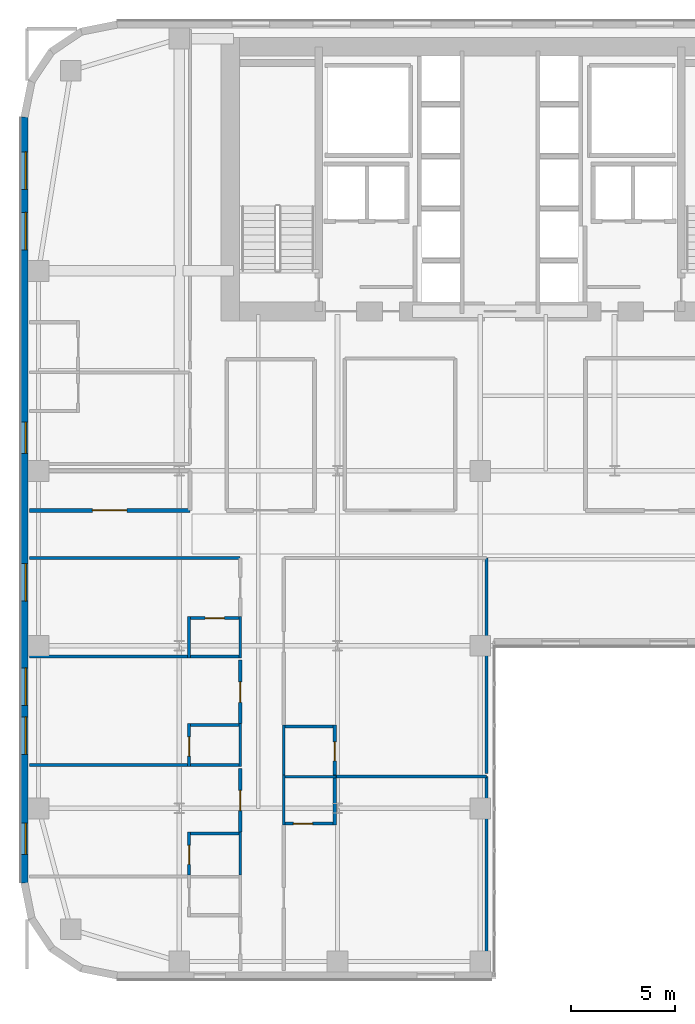
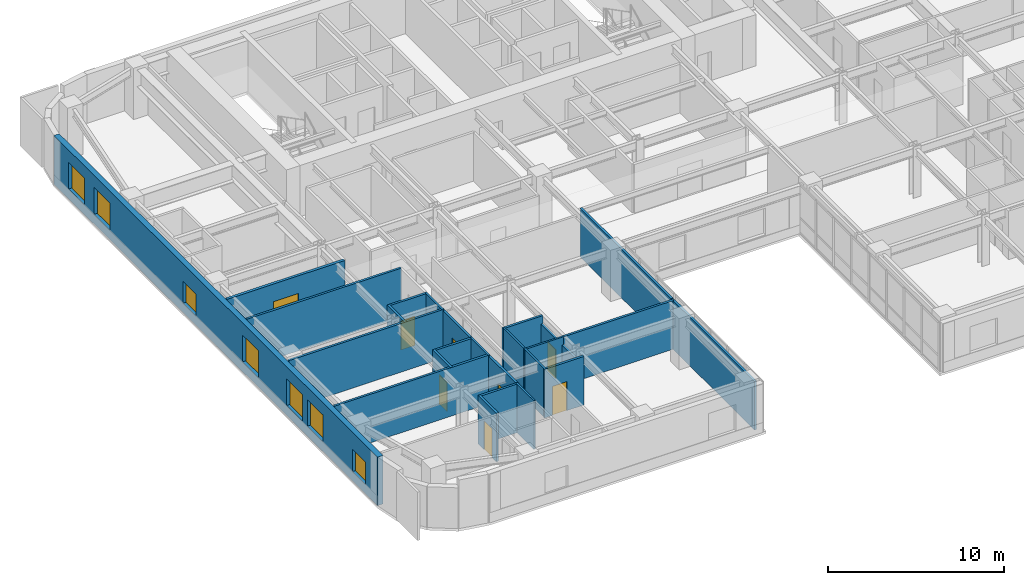
# One storey, part 14 of 25: 26 walls, 8 doors, 7 windows, 15 openings.
"""IFC4 building model written with IfcOpenShell, lengths in metres."""

from ifc_helpers import new_model, si_unit, direction, frame, frame_2d, origin, place, context, subcontext, project, spatial, rectangle, extrude, source, transform, mapped, material, layer, layer_set, type_object, type_shapes, element, fill, save


model = new_model("IFC4")

# Units and contexts
model_context = context("Model", 3, precision=1e-05, world=origin(), true_north=direction((0.0, 1.0)))
body_context = subcontext(model_context, "Body", "Model", "MODEL_VIEW")
ifc_project = project(units=[si_unit("LENGTHUNIT", "METRE"), si_unit("AREAUNIT", "SQUARE_METRE"), si_unit("VOLUMEUNIT", "CUBIC_METRE"), si_unit("PLANEANGLEUNIT", "RADIAN"), si_unit("MASSUNIT", "GRAM", prefix="KILO")], contexts=[model_context])

# Site, building, storey
site_placement = place(None, origin())
site = spatial("IfcSite", under=ifc_project, at=site_placement, CompositionType="ELEMENT")
building_placement = place(site_placement, origin())
building = spatial("IfcBuilding", under=site, at=building_placement, Name="Tolvann Quenvar Hotel", CompositionType="ELEMENT")
storey_placement = place(building_placement, frame((0.0, 0.0, 60.39990234375)))
storey = spatial("IfcBuildingStorey", under=building, at=storey_placement, Name="L14", CompositionType="ELEMENT", Elevation=60.39990234375)

# Wall, openings, windows
ifc_material_1 = material(Name="Kiln-fired red and buff architectural clay brickwork and terracotta masonry", Category="masonry")
ifc_layer_1 = layer(ifc_material_1, 0.35009765625)
ifc_layer_set_1 = layer_set([ifc_layer_1], Name="Kiln-fired red and buff architectural clay brickwork and terracotta masonry")
wall_type_1 = type_object("IfcWallType", Name="WALL_EXT_BRICK_350", PredefinedType="SOLIDWALL", material=ifc_layer_set_1)
wall_1_placement = place(storey_placement, frame((0.175048828125, 41.3828125, 0.0), z_axis=(0.0, 0.0, 1.0), x_axis=(0.0, -1.0, 0.0)))
wall_1 = element("IfcWall", 1, at=wall_1_placement, inside=storey, type_object=wall_type_1, Name="Exterior Chicago Brick Wall L14-E23", PredefinedType="SOLIDWALL", context=body_context, shape_type="SweptSolid", body=[
    extrude(rectangle(XDim=36.765625, YDim=0.35009765625, at=frame_2d((18.3828125, 0.0))), origin(), (0.0, 0.0, 1.0), 3.3701171875),
])
opening_1_placement = place(wall_1_placement, frame((1.676025390625, 0.0, 0.679931640625)))
opening_1 = element("IfcOpeningElement", 2, at=opening_1_placement, cuts=wall_1, Name="Opening W-03", PredefinedType="OPENING", context=body_context, shape_type="SweptSolid", body=[
    extrude(rectangle(XDim=1.800048828125, YDim=1.85009765625, at=frame_2d((0.89990234375, 0.925048828125))), frame((0.0, 0.18505859375, 0.0), z_axis=(0.0, -1.0, 0.0), x_axis=(1.0, 0.0, 0.0)), (0.0, 0.0, 1.0), 0.3701171875),
])
opening_2_placement = place(wall_1_placement, frame((4.577880859375, 0.0, 0.679931640625)))
opening_2 = element("IfcOpeningElement", 3, at=opening_2_placement, cuts=wall_1, Name="Opening W-03", PredefinedType="OPENING", context=body_context, shape_type="SweptSolid", body=[
    extrude(rectangle(XDim=1.800048828125, YDim=1.85009765625, at=frame_2d((0.89990234375, 0.925048828125))), frame((0.0, 0.18505859375, 0.0), z_axis=(0.0, -1.0, 0.0), x_axis=(1.0, 0.0, 0.0)), (0.0, 0.0, 1.0), 0.3701171875),
])
opening_3_placement = place(wall_1_placement, frame((21.43505859375, 0.0, 0.679931640625)))
opening_3 = element("IfcOpeningElement", 4, at=opening_3_placement, cuts=wall_1, Name="Opening W-03", PredefinedType="OPENING", context=body_context, shape_type="SweptSolid", body=[
    extrude(rectangle(XDim=1.800048828125, YDim=1.85009765625, at=frame_2d((0.89990234375, 0.925048828125))), frame((0.0, 0.18505859375, 0.0), z_axis=(0.0, -1.0, 0.0), x_axis=(1.0, 0.0, 0.0)), (0.0, 0.0, 1.0), 0.3701171875),
])
opening_4_placement = place(wall_1_placement, frame((26.43603515625, 0.0, 0.679931640625)))
opening_4 = element("IfcOpeningElement", 5, at=opening_4_placement, cuts=wall_1, Name="Opening W-03", PredefinedType="OPENING", context=body_context, shape_type="SweptSolid", body=[
    extrude(rectangle(XDim=1.800048828125, YDim=1.85009765625, at=frame_2d((0.89990234375, 0.925048828125))), frame((0.0, 0.18505859375, 0.0), z_axis=(0.0, -1.0, 0.0), x_axis=(1.0, 0.0, 0.0)), (0.0, 0.0, 1.0), 0.3701171875),
])
opening_5_placement = place(wall_1_placement, frame((28.7880859375, 0.0, 0.679931640625)))
opening_5 = element("IfcOpeningElement", 6, at=opening_5_placement, cuts=wall_1, Name="Opening W-03", PredefinedType="OPENING", context=body_context, shape_type="SweptSolid", body=[
    extrude(rectangle(XDim=1.800048828125, YDim=1.85009765625, at=frame_2d((0.89990234375, 0.925048828125))), frame((0.0, 0.18505859375, 0.0), z_axis=(0.0, -1.0, 0.0), x_axis=(1.0, 0.0, 0.0)), (0.0, 0.0, 1.0), 0.3701171875),
])
opening_6_placement = place(wall_1_placement, frame((33.89306640625, 0.0, 0.6201171875)))
opening_6 = element("IfcOpeningElement", 7, at=opening_6_placement, cuts=wall_1, Name="Opening W-08", PredefinedType="OPENING", context=body_context, shape_type="SweptSolid", body=[
    extrude(rectangle(XDim=1.5, YDim=1.550048828125, at=frame_2d((0.75, 0.77490234375))), frame((0.0, 0.18505859375, 0.0), z_axis=(0.0, -1.0, 0.0), x_axis=(1.0, 0.0, 0.0)), (0.0, 0.0, 1.0), 0.3701171875),
])
opening_7_placement = place(wall_1_placement, frame((14.64306640625, 0.0, 0.6201171875)))
opening_7 = element("IfcOpeningElement", 8, at=opening_7_placement, cuts=wall_1, Name="Opening W-08", PredefinedType="OPENING", context=body_context, shape_type="SweptSolid", body=[
    extrude(rectangle(XDim=1.5, YDim=1.550048828125, at=frame_2d((0.75, 0.77490234375))), frame((0.0, 0.18505859375, 0.0), z_axis=(0.0, -1.0, 0.0), x_axis=(1.0, 0.0, 0.0)), (0.0, 0.0, 1.0), 0.3701171875),
])
ifc_material_2 = material(Name="Thermally broken bronze-anodised aluminium frame with double low-E glazing", Category="aluminium")
window_type_1 = type_object("IfcWindowType", Name="WIN_COR_1500x2050", PartitioningType="SINGLE_PANEL", PredefinedType="WINDOW", material=ifc_material_2)
shared_shape_1 = source(origin(), body_context, "Body", "SweptSolid", [
    extrude(rectangle(XDim=1.5, YDim=1.550048828125, at=frame_2d((0.75, 0.77490234375))), frame((0.0, 0.090087890625, 0.0), z_axis=(0.0, -1.0, 0.0), x_axis=(1.0, 0.0, 0.0)), (0.0, 0.0, 1.0), 0.06005859375),
])
type_shapes(window_type_1, [shared_shape_1])
window_1_placement = place(opening_6_placement, origin())
window_1 = element("IfcWindow", 9, at=window_1_placement, inside=storey, type_object=window_type_1, Name="Chicago Window W-08 (EW-L14-E23-WD06)", OverallHeight=1.550048828125, OverallWidth=1.5, PartitioningType="SINGLE_PANEL", PredefinedType="WINDOW", context=body_context, shape_type="MappedRepresentation", body=[
    mapped(shared_shape_1, transform((0.0, 0.0, 0.0), x_axis=(1.0, 0.0, 0.0), y_axis=(0.0, 1.0, 0.0), z_axis=(0.0, 0.0, 1.0), scale=1.0)),
])
fill(opening_6, window_1)
window_2_placement = place(opening_7_placement, origin())
window_2 = element("IfcWindow", 10, at=window_2_placement, inside=storey, type_object=window_type_1, Name="Chicago Window W-08 (EW-L14-E23-WD07)", OverallHeight=1.550048828125, OverallWidth=1.5, PartitioningType="SINGLE_PANEL", PredefinedType="WINDOW", context=body_context, shape_type="MappedRepresentation", body=[
    mapped(shared_shape_1, transform((0.0, 0.0, 0.0), x_axis=(1.0, 0.0, 0.0), y_axis=(0.0, 1.0, 0.0), z_axis=(0.0, 0.0, 1.0), scale=1.0)),
])
fill(opening_7, window_2)
window_type_2 = type_object("IfcWindowType", Name="WIN_CHI_1800x2050", PartitioningType="TRIPLE_PANEL_HORIZONTAL", PredefinedType="WINDOW", material=ifc_material_2)
shared_shape_2 = source(origin(), body_context, "Body", "SweptSolid", [
    extrude(rectangle(XDim=1.800048828125, YDim=1.85009765625, at=frame_2d((0.89990234375, 0.925048828125))), frame((0.0, 0.090087890625, 0.0), z_axis=(0.0, -1.0, 0.0), x_axis=(1.0, 0.0, 0.0)), (0.0, 0.0, 1.0), 0.06005859375),
])
type_shapes(window_type_2, [shared_shape_2])
window_3_placement = place(opening_1_placement, origin())
window_3 = element("IfcWindow", 11, at=window_3_placement, inside=storey, type_object=window_type_2, Name="Chicago Window W-03 (EW-L14-E23-W01)", OverallHeight=1.85009765625, OverallWidth=1.800048828125, PartitioningType="TRIPLE_PANEL_HORIZONTAL", PredefinedType="WINDOW", context=body_context, shape_type="MappedRepresentation", body=[
    mapped(shared_shape_2, transform((0.0, 0.0, 0.0), x_axis=(1.0, 0.0, 0.0), y_axis=(0.0, 1.0, 0.0), z_axis=(0.0, 0.0, 1.0), scale=1.0)),
])
fill(opening_1, window_3)
window_4_placement = place(opening_2_placement, origin())
window_4 = element("IfcWindow", 12, at=window_4_placement, inside=storey, type_object=window_type_2, Name="Chicago Window W-03 (EW-L14-E23-W02)", OverallHeight=1.85009765625, OverallWidth=1.800048828125, PartitioningType="TRIPLE_PANEL_HORIZONTAL", PredefinedType="WINDOW", context=body_context, shape_type="MappedRepresentation", body=[
    mapped(shared_shape_2, transform((0.0, 0.0, 0.0), x_axis=(1.0, 0.0, 0.0), y_axis=(0.0, 1.0, 0.0), z_axis=(0.0, 0.0, 1.0), scale=1.0)),
])
fill(opening_2, window_4)
window_5_placement = place(opening_3_placement, origin())
window_5 = element("IfcWindow", 13, at=window_5_placement, inside=storey, type_object=window_type_2, Name="Chicago Window W-03 (EW-L14-E23-W03)", OverallHeight=1.85009765625, OverallWidth=1.800048828125, PartitioningType="TRIPLE_PANEL_HORIZONTAL", PredefinedType="WINDOW", context=body_context, shape_type="MappedRepresentation", body=[
    mapped(shared_shape_2, transform((0.0, 0.0, 0.0), x_axis=(1.0, 0.0, 0.0), y_axis=(0.0, 1.0, 0.0), z_axis=(0.0, 0.0, 1.0), scale=1.0)),
])
fill(opening_3, window_5)
window_6_placement = place(opening_4_placement, origin())
window_6 = element("IfcWindow", 14, at=window_6_placement, inside=storey, type_object=window_type_2, Name="Chicago Window W-03 (EW-L14-E23-W04)", OverallHeight=1.85009765625, OverallWidth=1.800048828125, PartitioningType="TRIPLE_PANEL_HORIZONTAL", PredefinedType="WINDOW", context=body_context, shape_type="MappedRepresentation", body=[
    mapped(shared_shape_2, transform((0.0, 0.0, 0.0), x_axis=(1.0, 0.0, 0.0), y_axis=(0.0, 1.0, 0.0), z_axis=(0.0, 0.0, 1.0), scale=1.0)),
])
fill(opening_4, window_6)
window_7_placement = place(opening_5_placement, origin())
window_7 = element("IfcWindow", 15, at=window_7_placement, inside=storey, type_object=window_type_2, Name="Chicago Window W-03 (EW-L14-E23-W05)", OverallHeight=1.85009765625, OverallWidth=1.800048828125, PartitioningType="TRIPLE_PANEL_HORIZONTAL", PredefinedType="WINDOW", context=body_context, shape_type="MappedRepresentation", body=[
    mapped(shared_shape_2, transform((0.0, 0.0, 0.0), x_axis=(1.0, 0.0, 0.0), y_axis=(0.0, 1.0, 0.0), z_axis=(0.0, 0.0, 1.0), scale=1.0)),
])
fill(opening_5, window_7)

# Wall, opening, door
ifc_material_3 = material(Name="Acoustic twin-stud fire-rated gypsum plasterboard partition")
ifc_layer_2 = layer(ifc_material_3, 0.179931640625)
ifc_layer_set_2 = layer_set([ifc_layer_2], Name="Acoustic twin-stud fire-rated gypsum plasterboard partition")
wall_type_2 = type_object("IfcWallType", Name="WALL_PART_ACOUSTIC_180", PredefinedType="PARTITIONING", material=ifc_layer_set_2)
wall_2_placement = place(storey_placement, frame((0.405029296875, 22.5, 0.0), z_axis=(0.0, 0.0, 1.0), x_axis=(1.0, 0.0, 0.0)))
wall_2 = element("IfcWall", 16, at=wall_2_placement, inside=storey, type_object=wall_type_2, Name="Interior Partition PT-SPC-L14-SAL-S", PredefinedType="PARTITIONING", context=body_context, shape_type="SweptSolid", body=[
    extrude(rectangle(XDim=7.715087890625, YDim=0.179931640625, at=frame_2d((3.857421875, 0.0))), origin(), (0.0, 0.0, 1.0), 3.3701171875),
])
opening_8_placement = place(wall_2_placement, frame((3.032470703125, 0.0, 0.0)))
opening_8 = element("IfcOpeningElement", 17, at=opening_8_placement, cuts=wall_2, Name="Opening AD-01", PredefinedType="OPENING", context=body_context, shape_type="SweptSolid", body=[
    extrude(rectangle(XDim=1.64990234375, YDim=2.14990234375, at=frame_2d((0.824951171875, 1.074951171875))), frame((0.0, 0.10009765625, 0.0), z_axis=(0.0, -1.0, 0.0), x_axis=(1.0, 0.0, 0.0)), (0.0, 0.0, 1.0), 0.199951171875),
])
ifc_material_4 = material(Name="Solid-core American oak acoustic fire door leaf in steel frame", Category="steel")
door_type_1 = type_object("IfcDoorType", Name="DOOR_SALON_1650", OperationType="NOTDEFINED", PredefinedType="DOOR", material=ifc_material_4)
shared_shape_3 = source(origin(), body_context, "Body", "SweptSolid", [
    extrude(rectangle(XDim=1.64990234375, YDim=2.14990234375, at=frame_2d((0.824951171875, 1.074951171875))), frame((0.0, 0.02490234375, 0.0), z_axis=(0.0, -1.0, 0.0), x_axis=(1.0, 0.0, 0.0)), (0.0, 0.0, 1.0), 0.050048828125),
])
type_shapes(door_type_1, [shared_shape_3])
door_1_placement = place(opening_8_placement, origin())
door_1 = element("IfcDoor", 18, at=door_1_placement, inside=storey, type_object=door_type_1, Name="Interior Door DOOR-SPC-L14-SAL", OperationType="DOUBLE_DOOR_SINGLE_SWING", OverallHeight=2.14990234375, OverallWidth=1.64990234375, PredefinedType="DOOR", context=body_context, shape_type="MappedRepresentation", body=[
    mapped(shared_shape_3, transform((0.0, 0.0, 0.0), x_axis=(1.0, 0.0, 0.0), y_axis=(0.0, 1.0, 0.0), z_axis=(0.0, 0.0, 1.0), scale=1.0)),
])
fill(opening_8, door_1)

# Walls
ifc_material_5 = material(Name="Moisture-resistant acoustic plumbing wall assembly")
ifc_layer_3 = layer(ifc_material_5, 0.1201171875)
ifc_layer_set_3 = layer_set([ifc_layer_3], Name="Moisture-resistant acoustic plumbing wall assembly")
wall_type_3 = type_object("IfcWallType", Name="WALL_PART_BATH_120", PredefinedType="PLUMBINGWALL", material=ifc_layer_set_3)
for number, where, z_axis, x_axis, name in (
    (19, (10.530029296875, 5.010009765625, 0.0), (0.0, 0.0, 1.0), (0.0, 1.0, 0.0), "Non-Rated Plumbing Partition PT-SPC-L14-ENS-WO02-E"),
    (20, (10.530029296875, 10.2099609375, 0.0), (0.0, 0.0, 1.0), (0.0, 1.0, 0.0), "Non-Rated Plumbing Partition PT-SPC-L14-ENS-WO03-E"),
):
    element("IfcWall", number, at=place(storey_placement, frame(where, z_axis=z_axis, x_axis=x_axis)), inside=storey, type_object=wall_type_3, Name=name, PredefinedType="PLUMBINGWALL", context=body_context, shape_type="SweptSolid", body=[
        extrude(rectangle(XDim=2.054931640625, YDim=0.1201171875, at=frame_2d((1.02734375, 0.0))), origin(), (0.0, 0.0, 1.0), 3.3701171875),
    ])
wall_3_placement = place(storey_placement, frame((10.530029296875, 15.409912109375, 0.0), z_axis=(0.0, 0.0, 1.0), x_axis=(0.0, 1.0, 0.0)))
element("IfcWall", 21, at=wall_3_placement, inside=storey, type_object=wall_type_3, Name="Non-Rated Plumbing Partition PT-SPC-L14-ENS-WO04-E", PredefinedType="PLUMBINGWALL", context=body_context, shape_type="SweptSolid", body=[
    extrude(rectangle(XDim=1.989990234375, YDim=0.1201171875, at=frame_2d((0.9951171875, 0.0))), origin(), (0.0, 0.0, 1.0), 3.3701171875),
])
wall_4_placement = place(storey_placement, frame((12.550048828125, 9.719970703125, 0.0), z_axis=(0.0, 0.0, 1.0), x_axis=(1.0, 0.0, 0.0)))
element("IfcWall", 22, at=wall_4_placement, inside=storey, type_object=wall_type_3, Name="Non-Rated Plumbing Partition PT-SPC-L14-ENS-WI01-N", PredefinedType="PLUMBINGWALL", context=body_context, shape_type="SweptSolid", body=[
    extrude(rectangle(XDim=2.58984375, YDim=0.1201171875, at=frame_2d((1.294921875, 0.0))), origin(), (0.0, 0.0, 1.0), 3.3701171875),
])
wall_5_placement = place(storey_placement, frame((12.6201171875, 7.39990234375, 0.0), z_axis=(0.0, 0.0, 1.0), x_axis=(0.0, 1.0, 0.0)))
element("IfcWall", 23, at=wall_5_placement, inside=storey, type_object=wall_type_3, Name="Non-Rated Plumbing Partition PT-SPC-L14-ENS-WI01-W", PredefinedType="PLUMBINGWALL", context=body_context, shape_type="SweptSolid", body=[
    extrude(rectangle(XDim=2.39013671875, YDim=0.1201171875, at=frame_2d((1.195068359375, 0.0))), origin(), (0.0, 0.0, 1.0), 3.3701171875),
])
wall_6_placement = place(storey_placement, frame((12.6201171875, 9.81005859375, 0.0), z_axis=(0.0, 0.0, 1.0), x_axis=(0.0, 1.0, 0.0)))
element("IfcWall", 24, at=wall_6_placement, inside=storey, type_object=wall_type_3, Name="Non-Rated Plumbing Partition PT-SPC-L14-ENS-WI02-W", PredefinedType="PLUMBINGWALL", context=body_context, shape_type="SweptSolid", body=[
    extrude(rectangle(XDim=2.389892578125, YDim=0.1201171875, at=frame_2d((1.19482421875, 0.0))), origin(), (0.0, 0.0, 1.0), 3.3701171875),
])

# Wall, opening, door
ifc_layer_4 = layer(ifc_material_3, 0.14990234375)
ifc_layer_set_4 = layer_set([ifc_layer_4], Name="Acoustic twin-stud fire-rated gypsum plasterboard partition")
wall_type_4 = type_object("IfcWallType", Name="WALL_PART_SUITE_150", PredefinedType="PARTITIONING", material=ifc_layer_set_4)
wall_7_placement = place(storey_placement, frame((8.080078125, 5.010009765625, 0.0), z_axis=(0.0, 0.0, 1.0), x_axis=(0.0, 1.0, 0.0)))
wall_7 = element("IfcWall", 25, at=wall_7_placement, inside=storey, type_object=wall_type_4, Name="Interior Partition PT-SPC-L14-ENS-WO02-ENT", PredefinedType="PARTITIONING", context=body_context, shape_type="SweptSolid", body=[
    extrude(rectangle(XDim=2.054931640625, YDim=0.14990234375, at=frame_2d((1.02734375, 0.0))), origin(), (0.0, 0.0, 1.0), 3.3701171875),
])
opening_9_placement = place(wall_7_placement, frame((0.49755859375, 0.0, 0.0)))
opening_9 = element("IfcOpeningElement", 26, at=opening_9_placement, cuts=wall_7, Name="Opening WD-01", PredefinedType="OPENING", context=body_context, shape_type="SweptSolid", body=[
    extrude(rectangle(XDim=0.919921875, YDim=2.010009765625, at=frame_2d((0.4599609375, 1.0048828125))), frame((0.0, 0.0849609375, 0.0), z_axis=(0.0, -1.0, 0.0), x_axis=(1.0, 0.0, 0.0)), (0.0, 0.0, 1.0), 0.169921875),
])
door_type_2 = type_object("IfcDoorType", Name="DOOR_WC_920", OperationType="NOTDEFINED", PredefinedType="DOOR", material=ifc_material_4)
shared_shape_4 = source(origin(), body_context, "Body", "SweptSolid", [
    extrude(rectangle(XDim=0.919921875, YDim=2.010009765625, at=frame_2d((0.4599609375, 1.0048828125))), frame((0.0, 0.02490234375, 0.0), z_axis=(0.0, -1.0, 0.0), x_axis=(1.0, 0.0, 0.0)), (0.0, 0.0, 1.0), 0.050048828125),
])
type_shapes(door_type_2, [shared_shape_4])
door_2_placement = place(opening_9_placement, origin())
door_2 = element("IfcDoor", 27, at=door_2_placement, inside=storey, type_object=door_type_2, Name="Interior Door DOOR-SPC-L14-ENS-WO02", OperationType="SINGLE_SWING_LEFT", OverallHeight=2.010009765625, OverallWidth=0.919921875, PredefinedType="DOOR", context=body_context, shape_type="MappedRepresentation", body=[
    mapped(shared_shape_4, transform((0.0, 0.0, 0.0), x_axis=(1.0, 0.0, 0.0), y_axis=(0.0, 1.0, 0.0), z_axis=(0.0, 0.0, 1.0), scale=1.0)),
])
fill(opening_9, door_2)

# Wall
wall_8_placement = place(storey_placement, frame((8.010009765625, 6.9951171875, 0.0), z_axis=(0.0, 0.0, 1.0), x_axis=(1.0, 0.0, 0.0)))
element("IfcWall", 28, at=wall_8_placement, inside=storey, type_object=wall_type_4, Name="Interior Partition PT-SPC-L14-ENS-WO02-N", PredefinedType="PARTITIONING", context=body_context, shape_type="SweptSolid", body=[
    extrude(rectangle(XDim=2.590087890625, YDim=0.14990234375, at=frame_2d((1.294921875, 0.0))), origin(), (0.0, 0.0, 1.0), 3.3701171875),
])

# Wall, opening, door
wall_9_placement = place(storey_placement, frame((8.080078125, 10.2099609375, 0.0), z_axis=(0.0, 0.0, 1.0), x_axis=(0.0, 1.0, 0.0)))
wall_9 = element("IfcWall", 29, at=wall_9_placement, inside=storey, type_object=wall_type_4, Name="Interior Partition PT-SPC-L14-ENS-WO03-ENT", PredefinedType="PARTITIONING", context=body_context, shape_type="SweptSolid", body=[
    extrude(rectangle(XDim=2.054931640625, YDim=0.14990234375, at=frame_2d((1.02734375, 0.0))), origin(), (0.0, 0.0, 1.0), 3.3701171875),
])
opening_10_placement = place(wall_9_placement, frame((0.49755859375, 0.0, 0.0)))
opening_10 = element("IfcOpeningElement", 30, at=opening_10_placement, cuts=wall_9, Name="Opening WD-01", PredefinedType="OPENING", context=body_context, shape_type="SweptSolid", body=[
    extrude(rectangle(XDim=0.919921875, YDim=2.010009765625, at=frame_2d((0.4599609375, 1.0048828125))), frame((0.0, 0.0849609375, 0.0), z_axis=(0.0, -1.0, 0.0), x_axis=(1.0, 0.0, 0.0)), (0.0, 0.0, 1.0), 0.169921875),
])
door_3_placement = place(opening_10_placement, origin())
door_3 = element("IfcDoor", 31, at=door_3_placement, inside=storey, type_object=door_type_2, Name="Interior Door DOOR-SPC-L14-ENS-WO03", OperationType="SINGLE_SWING_RIGHT", OverallHeight=2.010009765625, OverallWidth=0.919921875, PredefinedType="DOOR", context=body_context, shape_type="MappedRepresentation", body=[
    mapped(shared_shape_4, transform((0.0, 0.0, 0.0), x_axis=(1.0, 0.0, 0.0), y_axis=(0.0, 1.0, 0.0), z_axis=(0.0, 0.0, 1.0), scale=1.0)),
])
fill(opening_10, door_3)

# Walls
wall_10_placement = place(storey_placement, frame((0.405029296875, 10.280029296875, 0.0), z_axis=(0.0, 0.0, 1.0), x_axis=(1.0, 0.0, 0.0)))
element("IfcWall", 32, at=wall_10_placement, inside=storey, type_object=wall_type_4, Name="Interior Partition PT-SPC-L14-ENS-WO03-S", PredefinedType="PARTITIONING", context=body_context, shape_type="SweptSolid", body=[
    extrude(rectangle(XDim=10.195068359375, YDim=0.14990234375, at=frame_2d((5.09765625, 0.0))), origin(), (0.0, 0.0, 1.0), 3.3701171875),
])
wall_11_placement = place(storey_placement, frame((8.010009765625, 12.195068359375, 0.0), z_axis=(0.0, 0.0, 1.0), x_axis=(1.0, 0.0, 0.0)))
element("IfcWall", 33, at=wall_11_placement, inside=storey, type_object=wall_type_4, Name="Interior Partition PT-SPC-L14-ENS-WO03-N", PredefinedType="PARTITIONING", context=body_context, shape_type="SweptSolid", body=[
    extrude(rectangle(XDim=2.590087890625, YDim=0.14990234375, at=frame_2d((1.294921875, 0.0))), origin(), (0.0, 0.0, 1.0), 3.3701171875),
])
wall_12_placement = place(storey_placement, frame((8.080078125, 15.409912109375, 0.0), z_axis=(0.0, 0.0, 1.0), x_axis=(0.0, 1.0, 0.0)))
element("IfcWall", 34, at=wall_12_placement, inside=storey, type_object=wall_type_4, Name="Interior Partition PT-SPC-L14-ENS-WO04-ENT", PredefinedType="PARTITIONING", context=body_context, shape_type="SweptSolid", body=[
    extrude(rectangle(XDim=1.989990234375, YDim=0.14990234375, at=frame_2d((0.9951171875, 0.0))), origin(), (0.0, 0.0, 1.0), 3.3701171875),
])
wall_13_placement = place(storey_placement, frame((0.405029296875, 15.47998046875, 0.0), z_axis=(0.0, 0.0, 1.0), x_axis=(1.0, 0.0, 0.0)))
element("IfcWall", 35, at=wall_13_placement, inside=storey, type_object=wall_type_4, Name="Interior Partition PT-SPC-L14-ENS-WO04-S", PredefinedType="PARTITIONING", context=body_context, shape_type="SweptSolid", body=[
    extrude(rectangle(XDim=10.195068359375, YDim=0.14990234375, at=frame_2d((5.09765625, 0.0))), origin(), (0.0, 0.0, 1.0), 3.3701171875),
])

# Wall, opening, door
wall_14_placement = place(storey_placement, frame((8.010009765625, 17.330078125, 0.0), z_axis=(0.0, 0.0, 1.0), x_axis=(1.0, 0.0, 0.0)))
wall_14 = element("IfcWall", 36, at=wall_14_placement, inside=storey, type_object=wall_type_4, Name="Interior Partition PT-SPC-L14-ENS-WO04-N", PredefinedType="PARTITIONING", context=body_context, shape_type="SweptSolid", body=[
    extrude(rectangle(XDim=2.590087890625, YDim=0.14990234375, at=frame_2d((1.294921875, 0.0))), origin(), (0.0, 0.0, 1.0), 3.3701171875),
])
opening_11_placement = place(wall_14_placement, frame((0.8349609375, 0.0, 0.0)))
opening_11 = element("IfcOpeningElement", 37, at=opening_11_placement, cuts=wall_14, Name="Opening WD-01", PredefinedType="OPENING", context=body_context, shape_type="SweptSolid", body=[
    extrude(rectangle(XDim=0.919921875, YDim=2.010009765625, at=frame_2d((0.4599609375, 1.0048828125))), frame((0.0, 0.0849609375, 0.0), z_axis=(0.0, -1.0, 0.0), x_axis=(1.0, 0.0, 0.0)), (0.0, 0.0, 1.0), 0.169921875),
])
door_4_placement = place(opening_11_placement, origin())
door_4 = element("IfcDoor", 38, at=door_4_placement, inside=storey, type_object=door_type_2, Name="Interior Door DOOR-SPC-L14-ENS-WO04", OperationType="SINGLE_SWING_LEFT", OverallHeight=2.010009765625, OverallWidth=0.919921875, PredefinedType="DOOR", context=body_context, shape_type="MappedRepresentation", body=[
    mapped(shared_shape_4, transform((0.0, 0.0, 0.0), x_axis=(1.0, 0.0, 0.0), y_axis=(0.0, 1.0, 0.0), z_axis=(0.0, 0.0, 1.0), scale=1.0)),
])
fill(opening_11, door_4)

# Wall
wall_15_placement = place(storey_placement, frame((15.070068359375, 7.39990234375, 0.0), z_axis=(0.0, 0.0, 1.0), x_axis=(0.0, 1.0, 0.0)))
element("IfcWall", 39, at=wall_15_placement, inside=storey, type_object=wall_type_4, Name="Interior Partition PT-SPC-L14-ENS-WI01-ENT", PredefinedType="PARTITIONING", context=body_context, shape_type="SweptSolid", body=[
    extrude(rectangle(XDim=2.39013671875, YDim=0.14990234375, at=frame_2d((1.195068359375, 0.0))), origin(), (0.0, 0.0, 1.0), 2.8271484375),
])

# Wall, opening, door
wall_16_placement = place(storey_placement, frame((12.550048828125, 7.469970703125, 0.0), z_axis=(0.0, 0.0, 1.0), x_axis=(1.0, 0.0, 0.0)))
wall_16 = element("IfcWall", 40, at=wall_16_placement, inside=storey, type_object=wall_type_4, Name="Interior Partition PT-SPC-L14-ENS-WI01-S", PredefinedType="PARTITIONING", context=body_context, shape_type="SweptSolid", body=[
    extrude(rectangle(XDim=2.58984375, YDim=0.14990234375, at=frame_2d((1.294921875, 0.0))), origin(), (0.0, 0.0, 1.0), 3.3701171875),
])
opening_12_placement = place(wall_16_placement, frame((0.534912109375, 0.0, 0.0)))
opening_12 = element("IfcOpeningElement", 41, at=opening_12_placement, cuts=wall_16, Name="Opening WD-01", PredefinedType="OPENING", context=body_context, shape_type="SweptSolid", body=[
    extrude(rectangle(XDim=0.919921875, YDim=2.010009765625, at=frame_2d((0.4599609375, 1.0048828125))), frame((0.0, 0.0849609375, 0.0), z_axis=(0.0, -1.0, 0.0), x_axis=(1.0, 0.0, 0.0)), (0.0, 0.0, 1.0), 0.169921875),
])
door_5_placement = place(opening_12_placement, origin())
door_5 = element("IfcDoor", 42, at=door_5_placement, inside=storey, type_object=door_type_2, Name="Interior Door DOOR-SPC-L14-ENS-WI01", OperationType="SINGLE_SWING_RIGHT", OverallHeight=2.010009765625, OverallWidth=0.919921875, PredefinedType="DOOR", context=body_context, shape_type="MappedRepresentation", body=[
    mapped(shared_shape_4, transform((0.0, 0.0, 0.0), x_axis=(1.0, 0.0, 0.0), y_axis=(0.0, 1.0, 0.0), z_axis=(0.0, 0.0, 1.0), scale=1.0)),
])
fill(opening_12, door_5)

wall_17_placement = place(storey_placement, frame((15.070068359375, 9.81005859375, 0.0), z_axis=(0.0, 0.0, 1.0), x_axis=(0.0, 1.0, 0.0)))
wall_17 = element("IfcWall", 43, at=wall_17_placement, inside=storey, type_object=wall_type_4, Name="Interior Partition PT-SPC-L14-ENS-WI02-ENT", PredefinedType="PARTITIONING", context=body_context, shape_type="SweptSolid", body=[
    extrude(rectangle(XDim=2.389892578125, YDim=0.14990234375, at=frame_2d((1.19482421875, 0.0))), origin(), (0.0, 0.0, 1.0), 2.8271484375),
])
opening_13_placement = place(wall_17_placement, frame((0.6650390625, 0.0, 0.0)))
opening_13 = element("IfcOpeningElement", 44, at=opening_13_placement, cuts=wall_17, Name="Opening WD-01", PredefinedType="OPENING", context=body_context, shape_type="SweptSolid", body=[
    extrude(rectangle(XDim=0.919921875, YDim=2.010009765625, at=frame_2d((0.4599609375, 1.0048828125))), frame((0.0, 0.0849609375, 0.0), z_axis=(0.0, -1.0, 0.0), x_axis=(1.0, 0.0, 0.0)), (0.0, 0.0, 1.0), 0.169921875),
])
door_6_placement = place(opening_13_placement, origin())
door_6 = element("IfcDoor", 45, at=door_6_placement, inside=storey, type_object=door_type_2, Name="Interior Door DOOR-SPC-L14-ENS-WI02", OperationType="SINGLE_SWING_LEFT", OverallHeight=2.010009765625, OverallWidth=0.919921875, PredefinedType="DOOR", context=body_context, shape_type="MappedRepresentation", body=[
    mapped(shared_shape_4, transform((0.0, 0.0, 0.0), x_axis=(1.0, 0.0, 0.0), y_axis=(0.0, 1.0, 0.0), z_axis=(0.0, 0.0, 1.0), scale=1.0)),
])
fill(opening_13, door_6)

# Wall
wall_18_placement = place(storey_placement, frame((12.550048828125, 12.1298828125, 0.0), z_axis=(0.0, 0.0, 1.0), x_axis=(1.0, 0.0, 0.0)))
element("IfcWall", 46, at=wall_18_placement, inside=storey, type_object=wall_type_4, Name="Interior Partition PT-SPC-L14-ENS-WI02-N", PredefinedType="PARTITIONING", context=body_context, shape_type="SweptSolid", body=[
    extrude(rectangle(XDim=2.58984375, YDim=0.14990234375, at=frame_2d((1.294921875, 0.0))), origin(), (0.0, 0.0, 1.0), 3.3701171875),
])

# Wall, opening, door
wall_19_placement = place(storey_placement, frame((10.530029296875, 7.074951171875, 0.0), z_axis=(0.0, 0.0, 1.0), x_axis=(0.0, 1.0, 0.0)))
wall_19 = element("IfcWall", 47, at=wall_19_placement, inside=storey, type_object=wall_type_4, Name="Interior Partition PT-SPC-L14-RM-WO02-ENT", PredefinedType="PARTITIONING", context=body_context, shape_type="SweptSolid", body=[
    extrude(rectangle(XDim=3.045166015625, YDim=0.14990234375, at=frame_2d((1.5224609375, 0.0))), origin(), (0.0, 0.0, 1.0), 3.3701171875),
])
opening_14_placement = place(wall_19_placement, frame((1.012451171875, 0.0, 0.0)))
opening_14 = element("IfcOpeningElement", 48, at=opening_14_placement, cuts=wall_19, Name="Opening SD-01", PredefinedType="OPENING", context=body_context, shape_type="SweptSolid", body=[
    extrude(rectangle(XDim=0.97998046875, YDim=2.1201171875, at=frame_2d((0.489990234375, 1.06005859375))), frame((0.0, 0.0849609375, 0.0), z_axis=(0.0, -1.0, 0.0), x_axis=(1.0, 0.0, 0.0)), (0.0, 0.0, 1.0), 0.169921875),
])
door_type_3 = type_object("IfcDoorType", Name="DOOR_SUITE_980", OperationType="NOTDEFINED", PredefinedType="DOOR", material=ifc_material_4)
shared_shape_5 = source(origin(), body_context, "Body", "SweptSolid", [
    extrude(rectangle(XDim=0.97998046875, YDim=2.1201171875, at=frame_2d((0.489990234375, 1.06005859375))), frame((0.0, 0.02490234375, 0.0), z_axis=(0.0, -1.0, 0.0), x_axis=(1.0, 0.0, 0.0)), (0.0, 0.0, 1.0), 0.050048828125),
])
type_shapes(door_type_3, [shared_shape_5])
door_7_placement = place(opening_14_placement, origin())
door_7 = element("IfcDoor", 49, at=door_7_placement, inside=storey, type_object=door_type_3, Name="Interior Door DOOR-SPC-L14-RM-WO02", OperationType="SINGLE_SWING_LEFT", OverallHeight=2.1201171875, OverallWidth=0.97998046875, PredefinedType="DOOR", context=body_context, shape_type="MappedRepresentation", body=[
    mapped(shared_shape_5, transform((0.0, 0.0, 0.0), x_axis=(1.0, 0.0, 0.0), y_axis=(0.0, 1.0, 0.0), z_axis=(0.0, 0.0, 1.0), scale=1.0)),
])
fill(opening_14, door_7)

wall_20_placement = place(storey_placement, frame((10.530029296875, 12.27490234375, 0.0), z_axis=(0.0, 0.0, 1.0), x_axis=(0.0, 1.0, 0.0)))
wall_20 = element("IfcWall", 50, at=wall_20_placement, inside=storey, type_object=wall_type_4, Name="Interior Partition PT-SPC-L14-RM-WO03-ENT", PredefinedType="PARTITIONING", context=body_context, shape_type="SweptSolid", body=[
    extrude(rectangle(XDim=3.045166015625, YDim=0.14990234375, at=frame_2d((1.5224609375, 0.0))), origin(), (0.0, 0.0, 1.0), 3.3701171875),
])
opening_15_placement = place(wall_20_placement, frame((1.012451171875, 0.0, 0.0)))
opening_15 = element("IfcOpeningElement", 51, at=opening_15_placement, cuts=wall_20, Name="Opening SD-01", PredefinedType="OPENING", context=body_context, shape_type="SweptSolid", body=[
    extrude(rectangle(XDim=0.97998046875, YDim=2.1201171875, at=frame_2d((0.489990234375, 1.06005859375))), frame((0.0, 0.0849609375, 0.0), z_axis=(0.0, -1.0, 0.0), x_axis=(1.0, 0.0, 0.0)), (0.0, 0.0, 1.0), 0.169921875),
])
door_8_placement = place(opening_15_placement, origin())
door_8 = element("IfcDoor", 52, at=door_8_placement, inside=storey, type_object=door_type_3, Name="Interior Door DOOR-SPC-L14-RM-WO03", OperationType="SINGLE_SWING_RIGHT", OverallHeight=2.1201171875, OverallWidth=0.97998046875, PredefinedType="DOOR", context=body_context, shape_type="MappedRepresentation", body=[
    mapped(shared_shape_5, transform((0.0, 0.0, 0.0), x_axis=(1.0, 0.0, 0.0), y_axis=(0.0, 1.0, 0.0), z_axis=(0.0, 0.0, 1.0), scale=1.0)),
])
fill(opening_15, door_8)

# Walls
wall_21_placement = place(storey_placement, frame((0.405029296875, 20.219970703125, 0.0), z_axis=(0.0, 0.0, 1.0), x_axis=(1.0, 0.0, 0.0)))
element("IfcWall", 53, at=wall_21_placement, inside=storey, type_object=wall_type_4, Name="Interior Partition PT-SPC-L14-RM-WO04-E5", PredefinedType="PARTITIONING", context=body_context, shape_type="SweptSolid", body=[
    extrude(rectangle(XDim=10.125, YDim=0.14990234375, at=frame_2d((5.0625, 0.0))), origin(), (0.0, 0.0, 1.0), 3.3701171875),
])
wall_22_placement = place(storey_placement, frame((22.35009765625, 0.405029296875, 0.0), z_axis=(0.0, 0.0, 1.0), x_axis=(0.0, 1.0, 0.0)))
element("IfcWall", 54, at=wall_22_placement, inside=storey, type_object=wall_type_4, Name="Interior Partition PT-SPC-L14-RM-WI01-E2", PredefinedType="PARTITIONING", context=body_context, shape_type="SweptSolid", body=[
    extrude(rectangle(XDim=9.31494140625, YDim=0.14990234375, at=frame_2d((4.657470703125, 0.0))), origin(), (0.0, 0.0, 1.0), 3.3701171875),
])
wall_23_placement = place(storey_placement, frame((15.090087890625, 9.719970703125, 0.0), z_axis=(0.0, 0.0, 1.0), x_axis=(1.0, 0.0, 0.0)))
element("IfcWall", 55, at=wall_23_placement, inside=storey, type_object=wall_type_4, Name="Interior Partition PT-SPC-L14-RM-WI01-E3", PredefinedType="PARTITIONING", context=body_context, shape_type="SweptSolid", body=[
    extrude(rectangle(XDim=7.260009765625, YDim=0.14990234375, at=frame_2d((3.6298828125, 0.0))), origin(), (0.0, 0.0, 1.0), 3.3701171875),
])
wall_24_placement = place(storey_placement, frame((22.35009765625, 9.8798828125, 0.0), z_axis=(0.0, 0.0, 1.0), x_axis=(0.0, 1.0, 0.0)))
element("IfcWall", 56, at=wall_24_placement, inside=storey, type_object=wall_type_4, Name="Interior Partition PT-SPC-L14-RM-WI02-E4", PredefinedType="PARTITIONING", context=body_context, shape_type="SweptSolid", body=[
    extrude(rectangle(XDim=10.340087890625, YDim=0.14990234375, at=frame_2d((5.169921875, 0.0))), origin(), (0.0, 0.0, 1.0), 3.3701171875),
])

save(model, "model.ifc")
